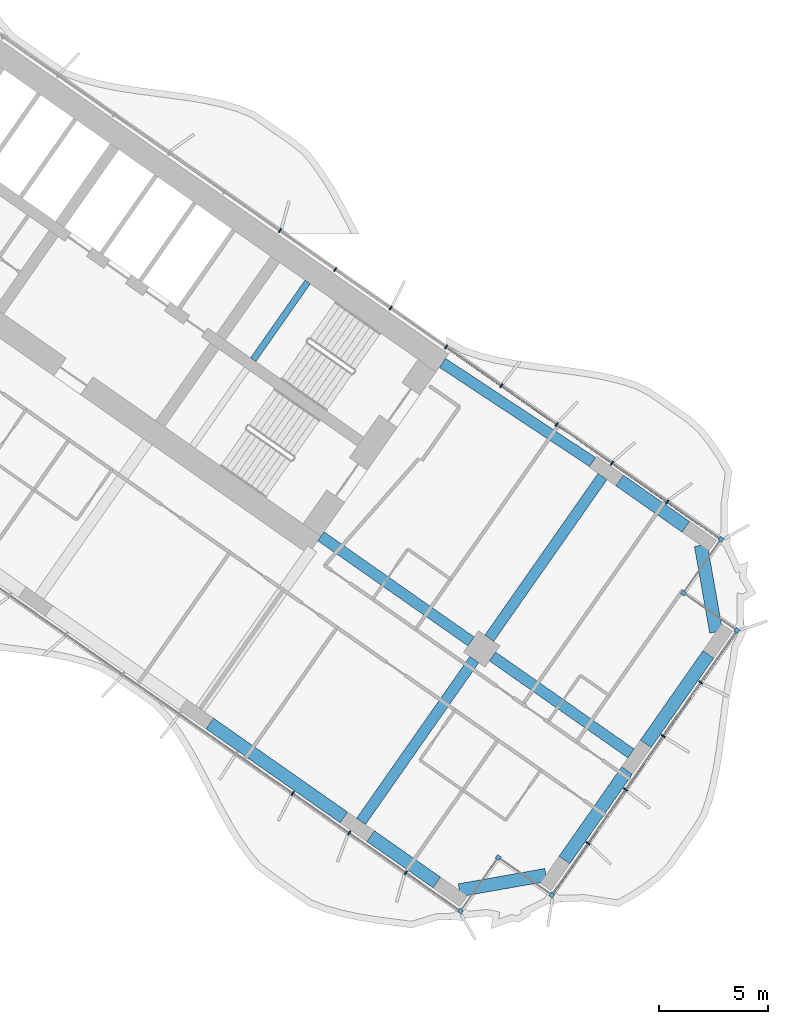
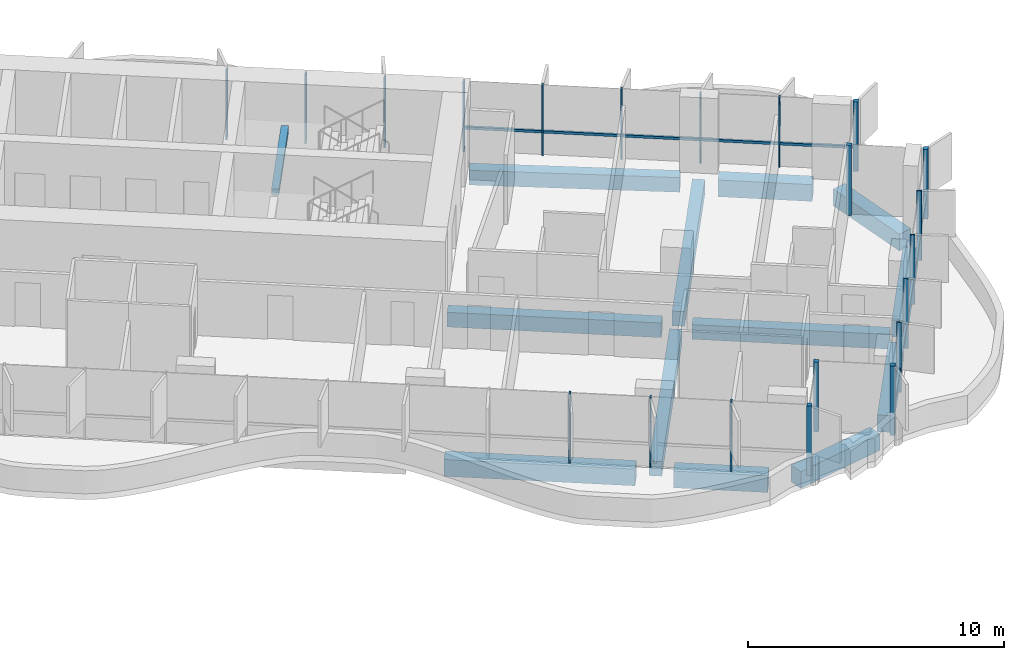
# One storey, part 9 of 23: 23 members, 13 beams, 2 elements without a shape of their own.
"""IFC4 building model written with IfcOpenShell, lengths in metres."""

from ifc_helpers import new_model, si_unit, direction, frame, origin, origin_2d, place, context, subcontext, project, spatial, rectangle, extrude, material, material_profile, profile_set, type_object, element, aggregate, save


model = new_model("IFC4")

# Units and contexts
model_context = context("Model", 3, precision=1e-05, world=origin(), true_north=direction((0.0, 1.0)))
body_context = subcontext(model_context, "Body", "Model", "MODEL_VIEW")
ifc_project = project(units=[si_unit("LENGTHUNIT", "METRE"), si_unit("AREAUNIT", "SQUARE_METRE"), si_unit("VOLUMEUNIT", "CUBIC_METRE"), si_unit("PLANEANGLEUNIT", "RADIAN"), si_unit("MASSUNIT", "GRAM", prefix="KILO")], contexts=[model_context])

# Site, building, storey
site_placement = place(None, origin())
site = spatial("IfcSite", under=ifc_project, at=site_placement, CompositionType="ELEMENT")
building_placement = place(site_placement, origin())
building = spatial("IfcBuilding", under=site, at=building_placement, Name="Tel Ilan Convention Tower", CompositionType="ELEMENT")
storey_placement = place(building_placement, frame((0.0, 0.0, 83.300048828125)))
storey = spatial("IfcBuildingStorey", under=building, at=storey_placement, Name="L16", CompositionType="ELEMENT", Elevation=83.300048828125)

# Beams
ifc_material_1 = material(Name="Concrete C40/50", Category="concrete")
ifc_material_profile_1 = material_profile(ifc_material_1, rectangle(XDim=0.5, YDim=0.699951171875, at=origin_2d()), Name="RC 500x700")
ifc_profile_set_1 = profile_set([ifc_material_profile_1], Name="Concrete C40/50")
beam_type_1 = type_object("IfcBeamType", Name="Beam RC 500x700 Concrete C40/50", PredefinedType="BEAM", material=ifc_profile_set_1)
beam_1_placement = place(storey_placement, frame((34.570556640625, -12.08447265625, -0.630126953125), z_axis=(-0.834273603487, 0.551350663847, 0.0), x_axis=(-0.551350663847, -0.834273603487, 0.0)))
element("IfcBeam", 1, at=beam_1_placement, inside=storey, type_object=beam_type_1, Name="L16 beam E-E-B4-core", PredefinedType="BEAM", context=body_context, shape_type="SweptSolid", body=[
    extrude(rectangle(XDim=0.5, YDim=0.699951171875, at=origin_2d()), origin(), (0.0, 0.0, 1.0), 8.2529296875),
])
beam_2_placement = place(storey_placement, frame((22.1171875, -15.486572265625, -0.630126953125), z_axis=(0.819147254605, -0.573583276668, 0.0), x_axis=(0.573583276668, 0.819147254605, 0.0)))
element("IfcBeam", 2, at=beam_2_placement, inside=storey, type_object=beam_type_1, Name="L16 beam E-core-E-M4", PredefinedType="BEAM", context=body_context, shape_type="SweptSolid", body=[
    extrude(rectangle(XDim=0.5, YDim=0.699951171875, at=origin_2d()), origin(), (0.0, 0.0, 1.0), 8.400146484375),
])
beam_3_placement = place(storey_placement, frame((29.98095703125, -20.992919921875, -0.630126953125), z_axis=(0.819159394801, -0.573565938589, 0.0), x_axis=(0.573565938589, 0.819159394801, 0.0)))
element("IfcBeam", 3, at=beam_3_placement, inside=storey, type_object=beam_type_1, Name="L16 beam E-E-M4-end", PredefinedType="BEAM", context=body_context, shape_type="SweptSolid", body=[
    extrude(rectangle(XDim=0.5, YDim=0.699951171875, at=origin_2d()), origin(), (0.0, 0.0, 1.0), 7.75),
])
for number, where, z_axis, x_axis, name in (
    (4, (29.145263671875, -21.14013671875, -0.630126953125), (-0.573549245583, -0.819171082798, 0.0), (0.819171082798, -0.573549245583, 0.0), "L16 beam E-E-M4-E-F4"),
    (5, (29.83349609375, -20.1572265625, -0.630126953125), (0.57358002233, 0.819149533348, 0.0), (-0.819149533348, 0.57358002233, 0.0), "L16 beam E-E-M4-E-B4"),
):
    element("IfcBeam", number, at=place(storey_placement, frame(where, z_axis=z_axis, x_axis=x_axis)), inside=storey, type_object=beam_type_1, Name=name, PredefinedType="BEAM", context=body_context, shape_type="SweptSolid", body=[
        extrude(rectangle(XDim=0.5, YDim=0.699951171875, at=origin_2d()), origin(), (0.0, 0.0, 1.0), 9.050048828125),
    ])
ifc_material_2 = material(Name="Concrete C40/50", Category="concrete")
ifc_material_profile_2 = material_profile(ifc_material_2, rectangle(XDim=0.60009765625, YDim=0.800048828125, at=origin_2d()), Name="RC 600x800")
ifc_profile_set_2 = profile_set([ifc_material_profile_2], Name="Concrete C40/50")
beam_type_2 = type_object("IfcBeamType", Name="Beam RC 600x800 Concrete C40/50", PredefinedType="BEAM", material=ifc_profile_set_2)
beam_4_placement = place(storey_placement, frame((17.0244140625, -24.0673828125, -0.679931640625), z_axis=(0.81915238829, -0.573575945067, 0.0), x_axis=(0.573575945067, 0.81915238829, 0.0)))
element("IfcBeam", 6, at=beam_4_placement, inside=storey, type_object=beam_type_2, Name="L16 beam E-E-F3-E-F4", PredefinedType="BEAM", context=body_context, shape_type="SweptSolid", body=[
    extrude(rectangle(XDim=0.60009765625, YDim=0.800048828125, at=origin_2d()), origin(), (0.0, 0.0, 1.0), 7.5),
])
beam_5_placement = place(storey_placement, frame((24.396728515625, -29.2294921875, -0.679931640625), z_axis=(0.819132709951, -0.573604047656, 0.0), x_axis=(0.573604047656, 0.819132709951, 0.0)))
element("IfcBeam", 7, at=beam_5_placement, inside=storey, type_object=beam_type_2, Name="L16 beam E-E-F4-E-FC", PredefinedType="BEAM", context=body_context, shape_type="SweptSolid", body=[
    extrude(rectangle(XDim=0.60009765625, YDim=0.800048828125, at=origin_2d()), origin(), (0.0, 0.0, 1.0), 3.699951171875),
])
beam_6_placement = place(storey_placement, frame((28.459716796875, -31.708251953125, -0.679931640625), z_axis=(0.984806721117, 0.173654029734, 0.0), x_axis=(-0.173654029734, 0.984806721117, 0.0)))
element("IfcBeam", 8, at=beam_6_placement, inside=storey, type_object=beam_type_2, Name="L16 beam E-E-FC-E-E1", PredefinedType="BEAM", context=body_context, shape_type="SweptSolid", body=[
    extrude(rectangle(XDim=0.60009765625, YDim=0.800048828125, at=origin_2d()), origin(), (0.0, 0.0, 1.0), 4.03076171875),
])
for number, where, z_axis, x_axis, name in (
    (9, (33.277099609375, -30.3203125, -0.679931640625), (0.573586866468, 0.819144740944, 0.0), (-0.819144740944, 0.573586866468, 0.0), "L16 beam E-E-E1-E-E2"),
    (10, (37.00537109375, -24.995849609375, -0.679931640625), (0.573586866468, 0.819144740944, 0.0), (-0.819144740944, 0.573586866468, 0.0), "L16 beam E-E-E2-E-E3"),
):
    element("IfcBeam", number, at=place(storey_placement, frame(where, z_axis=z_axis, x_axis=x_axis)), inside=storey, type_object=beam_type_2, Name=name, PredefinedType="BEAM", context=body_context, shape_type="SweptSolid", body=[
        extrude(rectangle(XDim=0.60009765625, YDim=0.800048828125, at=origin_2d()), origin(), (0.0, 0.0, 1.0), 5.0),
    ])
beam_7_placement = place(storey_placement, frame((40.229736328125, -19.867919921875, -0.679931640625), z_axis=(-0.173664388751, 0.984804894423, 0.0), x_axis=(-0.984804894423, -0.173664388751, 0.0)))
element("IfcBeam", 11, at=beam_7_placement, inside=storey, type_object=beam_type_2, Name="L16 beam E-E-E3-E-BC", PredefinedType="BEAM", context=body_context, shape_type="SweptSolid", body=[
    extrude(rectangle(XDim=0.60009765625, YDim=0.800048828125, at=origin_2d()), origin(), (0.0, 0.0, 1.0), 4.030517578125),
])
beam_8_placement = place(storey_placement, frame((38.841796875, -15.050537109375, -0.679931640625), z_axis=(-0.819185419371, 0.573528768842, 0.0), x_axis=(-0.573528768842, -0.819185419371, 0.0)))
element("IfcBeam", 12, at=beam_8_placement, inside=storey, type_object=beam_type_2, Name="L16 beam E-E-BC-E-B4", PredefinedType="BEAM", context=body_context, shape_type="SweptSolid", body=[
    extrude(rectangle(XDim=0.60009765625, YDim=0.800048828125, at=origin_2d()), origin(), (0.0, 0.0, 1.0), 3.699951171875),
])

# Curtain wall, members
ifc_material_3 = material(Name="Aluminium, bronze anodised", Category="aluminium")
curtain_wall_type_1 = type_object("IfcCurtainWallType", Name="CW1 UNITISED CURTAIN WALL, HOTEL TINTED GLASS", PredefinedType="NOTDEFINED", material=ifc_material_3)
curtain_wall_1_placement = place(storey_placement, origin())
curtain_wall_1 = element("IfcCurtainWall", 13, at=curtain_wall_1_placement, inside=storey, type_object=curtain_wall_type_1, Name="Curtain wall CW1-15.02", PredefinedType="NOTDEFINED")
ifc_material_4 = material(Name="Aluminium, bronze anodised", Category="aluminium")
ifc_material_profile_3 = material_profile(ifc_material_4, rectangle(XDim=0.199951171875, YDim=0.199951171875, at=origin_2d()), Name="CW CORNER MULLION 200x200")
ifc_profile_set_3 = profile_set([ifc_material_profile_3], Name="Aluminium, bronze anodised")
member_type_1 = type_object("IfcMemberType", Name="CW CORNER MULLION 200x200", PredefinedType="MULLION", material=ifc_profile_set_3)
member_1_placement = place(storey_placement, frame((28.52099609375, -32.666748046875, 0.0), z_axis=(0.0, 0.0, 1.0), x_axis=(0.819152044289, -0.573576436351, 0.0)))
member_1 = element("IfcMember", 14, at=member_1_placement, type_object=member_type_1, Name="Corner mullion", PredefinedType="MULLION", context=body_context, shape_type="SweptSolid", body=[
    extrude(rectangle(XDim=0.199951171875, YDim=0.199951171875, at=origin_2d()), origin(), (0.0, 0.0, 1.0), 3.320068359375),
])
member_2_placement = place(storey_placement, frame((30.241943359375, -30.209228515625, 0.0), z_axis=(0.0, 0.0, 1.0), x_axis=(0.573576436351, 0.819152044289, 0.0)))
member_2 = element("IfcMember", 15, at=member_2_placement, type_object=member_type_1, Name="Corner mullion", PredefinedType="MULLION", context=body_context, shape_type="SweptSolid", body=[
    extrude(rectangle(XDim=0.199951171875, YDim=0.199951171875, at=origin_2d()), origin(), (0.0, 0.0, 1.0), 3.320068359375),
])
member_3_placement = place(storey_placement, frame((32.69921875, -31.929931640625, 0.0), z_axis=(0.0, 0.0, 1.0), x_axis=(0.819152044289, -0.573576436351, 0.0)))
member_3 = element("IfcMember", 16, at=member_3_placement, type_object=member_type_1, Name="Corner mullion", PredefinedType="MULLION", context=body_context, shape_type="SweptSolid", body=[
    extrude(rectangle(XDim=0.199951171875, YDim=0.199951171875, at=origin_2d()), origin(), (0.0, 0.0, 1.0), 3.320068359375),
])
member_4_placement = place(storey_placement, frame((41.188232421875, -19.806640625, 0.0), z_axis=(0.0, 0.0, 1.0), x_axis=(0.573576436351, 0.819152044289, 0.0)))
member_4 = element("IfcMember", 17, at=member_4_placement, type_object=member_type_1, Name="Corner mullion", PredefinedType="MULLION", context=body_context, shape_type="SweptSolid", body=[
    extrude(rectangle(XDim=0.199951171875, YDim=0.199951171875, at=origin_2d()), origin(), (0.0, 0.0, 1.0), 3.320068359375),
])
member_5_placement = place(storey_placement, frame((38.730712890625, -18.0859375, 0.0), z_axis=(0.0, 0.0, 1.0), x_axis=(-0.819152044289, 0.573576436351, 0.0)))
member_5 = element("IfcMember", 18, at=member_5_placement, type_object=member_type_1, Name="Corner mullion", PredefinedType="MULLION", context=body_context, shape_type="SweptSolid", body=[
    extrude(rectangle(XDim=0.199951171875, YDim=0.199951171875, at=origin_2d()), origin(), (0.0, 0.0, 1.0), 3.320068359375),
])
member_6_placement = place(storey_placement, frame((40.451416015625, -15.62841796875, 0.0), z_axis=(0.0, 0.0, 1.0), x_axis=(0.573576436351, 0.819152044289, 0.0)))
member_6 = element("IfcMember", 19, at=member_6_placement, type_object=member_type_1, Name="Corner mullion", PredefinedType="MULLION", context=body_context, shape_type="SweptSolid", body=[
    extrude(rectangle(XDim=0.199951171875, YDim=0.199951171875, at=origin_2d()), origin(), (0.0, 0.0, 1.0), 3.320068359375),
])

ifc_material_5 = material(Name="Aluminium, bronze anodised", Category="aluminium")
curtain_wall_type_2 = type_object("IfcCurtainWallType", Name="CW2 STICK CURTAIN WALL, SPANDREL PANELS", PredefinedType="NOTDEFINED", material=ifc_material_5)
curtain_wall_2_placement = place(storey_placement, origin())
curtain_wall_2 = element("IfcCurtainWall", 20, at=curtain_wall_2_placement, inside=storey, type_object=curtain_wall_type_2, Name="Curtain wall CW2-15.01", PredefinedType="NOTDEFINED")
ifc_material_6 = material(Name="Aluminium, bronze anodised", Category="aluminium")
ifc_material_profile_4 = material_profile(ifc_material_6, rectangle(XDim=0.06005859375, YDim=0.199951171875, at=origin_2d()), Name="CW MULLION 60x200")
ifc_profile_set_4 = profile_set([ifc_material_profile_4], Name="Aluminium, bronze anodised")
member_type_2 = type_object("IfcMemberType", Name="CW MULLION 60x200", PredefinedType="MULLION", material=ifc_profile_set_4)
member_7_placement = place(storey_placement, frame((27.848876953125, -6.803955078125, 0.0), z_axis=(0.0, 0.0, 1.0), x_axis=(-0.819152044289, 0.573576436351, 0.0)))
member_7 = element("IfcMember", 21, at=member_7_placement, type_object=member_type_2, Name="Mullion", PredefinedType="MULLION", context=body_context, shape_type="SweptSolid", body=[
    extrude(rectangle(XDim=0.06005859375, YDim=0.199951171875, at=origin_2d()), origin(), (0.0, 0.0, 1.0), 3.320068359375),
])
member_8_placement = place(storey_placement, frame((25.311767578125, -5.027587890625, 0.0), z_axis=(0.0, 0.0, 1.0), x_axis=(-0.819152044289, 0.573576436351, 0.0)))
member_8 = element("IfcMember", 22, at=member_8_placement, type_object=member_type_2, Name="Mullion", PredefinedType="MULLION", context=body_context, shape_type="SweptSolid", body=[
    extrude(rectangle(XDim=0.06005859375, YDim=0.199951171875, at=origin_2d()), origin(), (0.0, 0.0, 1.0), 3.320068359375),
])
member_9_placement = place(storey_placement, frame((22.77490234375, -3.251220703125, 0.0), z_axis=(0.0, 0.0, 1.0), x_axis=(-0.819152044289, 0.573576436351, 0.0)))
member_9 = element("IfcMember", 23, at=member_9_placement, type_object=member_type_2, Name="Mullion", PredefinedType="MULLION", context=body_context, shape_type="SweptSolid", body=[
    extrude(rectangle(XDim=0.06005859375, YDim=0.199951171875, at=origin_2d()), origin(), (0.0, 0.0, 1.0), 3.320068359375),
])
member_10_placement = place(storey_placement, frame((20.238037109375, -1.474853515625, 0.0), z_axis=(0.0, 0.0, 1.0), x_axis=(-0.819152044289, 0.573576436351, 0.0)))
member_10 = element("IfcMember", 24, at=member_10_placement, type_object=member_type_2, Name="Mullion", PredefinedType="MULLION", context=body_context, shape_type="SweptSolid", body=[
    extrude(rectangle(XDim=0.06005859375, YDim=0.199951171875, at=origin_2d()), origin(), (0.0, 0.0, 1.0), 3.320068359375),
])
aggregate(curtain_wall_2, [member_7, member_8, member_9, member_10])

# Member
member_11_placement = place(storey_placement, frame((20.81787109375, -27.27294921875, 0.0), z_axis=(0.0, 0.0, 1.0), x_axis=(0.819152044289, -0.573576436351, 0.0)))
member_11 = element("IfcMember", 25, at=member_11_placement, type_object=member_type_2, Name="Mullion", PredefinedType="MULLION", context=body_context, shape_type="SweptSolid", body=[
    extrude(rectangle(XDim=0.06005859375, YDim=0.199951171875, at=origin_2d()), origin(), (0.0, 0.0, 1.0), 3.320068359375),
])

member_12_placement = place(storey_placement, frame((23.412841796875, -29.08984375, 0.0), z_axis=(0.0, 0.0, 1.0), x_axis=(0.819152044289, -0.573576436351, 0.0)))
member_12 = element("IfcMember", 26, at=member_12_placement, type_object=member_type_2, Name="Mullion", PredefinedType="MULLION", context=body_context, shape_type="SweptSolid", body=[
    extrude(rectangle(XDim=0.06005859375, YDim=0.199951171875, at=origin_2d()), origin(), (0.0, 0.0, 1.0), 3.320068359375),
])

member_13_placement = place(storey_placement, frame((26.008056640625, -30.906982421875, 0.0), z_axis=(0.0, 0.0, 1.0), x_axis=(0.819152044289, -0.573576436351, 0.0)))
member_13 = element("IfcMember", 27, at=member_13_placement, type_object=member_type_2, Name="Mullion", PredefinedType="MULLION", context=body_context, shape_type="SweptSolid", body=[
    extrude(rectangle(XDim=0.06005859375, YDim=0.199951171875, at=origin_2d()), origin(), (0.0, 0.0, 1.0), 3.320068359375),
])

member_14_placement = place(storey_placement, frame((34.362548828125, -29.554443359375, 0.0), z_axis=(0.0, 0.0, 1.0), x_axis=(0.573576436351, 0.819152044289, 0.0)))
member_14 = element("IfcMember", 28, at=member_14_placement, type_object=member_type_2, Name="Mullion", PredefinedType="MULLION", context=body_context, shape_type="SweptSolid", body=[
    extrude(rectangle(XDim=0.06005859375, YDim=0.199951171875, at=origin_2d()), origin(), (0.0, 0.0, 1.0), 3.320068359375),
])

member_15_placement = place(storey_placement, frame((36.08349609375, -27.096923828125, 0.0), z_axis=(0.0, 0.0, 1.0), x_axis=(0.573576436351, 0.819152044289, 0.0)))
member_15 = element("IfcMember", 29, at=member_15_placement, type_object=member_type_2, Name="Mullion", PredefinedType="MULLION", context=body_context, shape_type="SweptSolid", body=[
    extrude(rectangle(XDim=0.06005859375, YDim=0.199951171875, at=origin_2d()), origin(), (0.0, 0.0, 1.0), 3.320068359375),
])

member_16_placement = place(storey_placement, frame((37.80419921875, -24.6396484375, 0.0), z_axis=(0.0, 0.0, 1.0), x_axis=(0.573576436351, 0.819152044289, 0.0)))
member_16 = element("IfcMember", 30, at=member_16_placement, type_object=member_type_2, Name="Mullion", PredefinedType="MULLION", context=body_context, shape_type="SweptSolid", body=[
    extrude(rectangle(XDim=0.06005859375, YDim=0.199951171875, at=origin_2d()), origin(), (0.0, 0.0, 1.0), 3.320068359375),
])

member_17_placement = place(storey_placement, frame((39.52490234375, -22.18212890625, 0.0), z_axis=(0.0, 0.0, 1.0), x_axis=(0.573576436351, 0.819152044289, 0.0)))
member_17 = element("IfcMember", 31, at=member_17_placement, type_object=member_type_2, Name="Mullion", PredefinedType="MULLION", context=body_context, shape_type="SweptSolid", body=[
    extrude(rectangle(XDim=0.06005859375, YDim=0.199951171875, at=origin_2d()), origin(), (0.0, 0.0, 1.0), 3.320068359375),
])

member_18_placement = place(storey_placement, frame((37.99658203125, -13.909423828125, 0.0), z_axis=(0.0, 0.0, 1.0), x_axis=(-0.819152044289, 0.573576436351, 0.0)))
member_18 = element("IfcMember", 32, at=member_18_placement, type_object=member_type_2, Name="Mullion", PredefinedType="MULLION", context=body_context, shape_type="SweptSolid", body=[
    extrude(rectangle(XDim=0.06005859375, YDim=0.199951171875, at=origin_2d()), origin(), (0.0, 0.0, 1.0), 3.320068359375),
])

member_19_placement = place(storey_placement, frame((35.45947265625, -12.133056640625, 0.0), z_axis=(0.0, 0.0, 1.0), x_axis=(-0.819152044289, 0.573576436351, 0.0)))
member_19 = element("IfcMember", 33, at=member_19_placement, type_object=member_type_2, Name="Mullion", PredefinedType="MULLION", context=body_context, shape_type="SweptSolid", body=[
    extrude(rectangle(XDim=0.06005859375, YDim=0.199951171875, at=origin_2d()), origin(), (0.0, 0.0, 1.0), 3.320068359375),
])

member_20_placement = place(storey_placement, frame((32.922607421875, -10.356689453125, 0.0), z_axis=(0.0, 0.0, 1.0), x_axis=(-0.819152044289, 0.573576436351, 0.0)))
member_20 = element("IfcMember", 34, at=member_20_placement, type_object=member_type_2, Name="Mullion", PredefinedType="MULLION", context=body_context, shape_type="SweptSolid", body=[
    extrude(rectangle(XDim=0.06005859375, YDim=0.199951171875, at=origin_2d()), origin(), (0.0, 0.0, 1.0), 3.320068359375),
])

member_21_placement = place(storey_placement, frame((30.3857421875, -8.580322265625, 0.0), z_axis=(0.0, 0.0, 1.0), x_axis=(-0.819152044289, 0.573576436351, 0.0)))
member_21 = element("IfcMember", 35, at=member_21_placement, type_object=member_type_2, Name="Mullion", PredefinedType="MULLION", context=body_context, shape_type="SweptSolid", body=[
    extrude(rectangle(XDim=0.06005859375, YDim=0.199951171875, at=origin_2d()), origin(), (0.0, 0.0, 1.0), 3.320068359375),
])

ifc_material_7 = material(Name="Aluminium, bronze anodised", Category="aluminium")
ifc_material_profile_5 = material_profile(ifc_material_7, rectangle(XDim=0.10009765625, YDim=0.1201171875, at=origin_2d()), Name="CW TRANSOM 100x120")
ifc_profile_set_5 = profile_set([ifc_material_profile_5], Name="Aluminium, bronze anodised")
member_type_3 = type_object("IfcMemberType", Name="CW TRANSOM 100x120", PredefinedType="USERDEFINED", material=ifc_profile_set_5)
member_22_placement = place(storey_placement, frame((32.756591796875, -31.84814453125, 1.099853515625), z_axis=(0.573575688231, 0.819152568128, 0.0), x_axis=(-0.819152568128, 0.573575688231, 0.0)))
member_22 = element("IfcMember", 36, at=member_22_placement, type_object=member_type_3, Name="Transom", ObjectType="TRANSOM", PredefinedType="USERDEFINED", context=body_context, shape_type="SweptSolid", body=[
    extrude(rectangle(XDim=0.10009765625, YDim=0.1201171875, at=origin_2d()), origin(), (0.0, 0.0, 1.0), 14.60009765625),
])

member_23_placement = place(storey_placement, frame((40.36962890625, -15.571044921875, 1.099853515625), z_axis=(-0.819152967985, 0.573575117174, 0.0), x_axis=(-0.573575117174, -0.819152967985, 0.0)))
member_23 = element("IfcMember", 37, at=member_23_placement, type_object=member_type_3, Name="Transom", ObjectType="TRANSOM", PredefinedType="USERDEFINED", context=body_context, shape_type="SweptSolid", body=[
    extrude(rectangle(XDim=0.10009765625, YDim=0.1201171875, at=origin_2d()), origin(), (0.0, 0.0, 1.0), 15.255126953125),
])

aggregate(curtain_wall_1, [member_11, member_12, member_13, member_1, member_2, member_3, member_14, member_15, member_16, member_17, member_4, member_22, member_5, member_6, member_18, member_19, member_20, member_21, member_23])

# Beam
ifc_material_8 = material(Name="Concrete C40/50", Category="concrete")
ifc_material_profile_6 = material_profile(ifc_material_8, rectangle(XDim=0.300048828125, YDim=0.300048828125, at=origin_2d()), Name="RC 300x300")
ifc_profile_set_6 = profile_set([ifc_material_profile_6], Name="Concrete C40/50")
beam_type_3 = type_object("IfcBeamType", Name="Landing Beam RC 300x300 Concrete C40/50", PredefinedType="BEAM", material=ifc_profile_set_6)
beam_9_placement = place(storey_placement, frame((21.5087890625, -3.829345703125, 1.449951171875), z_axis=(-0.57356780395, -0.819158088694, 0.0), x_axis=(0.819158088694, -0.57356780395, 0.0)))
element("IfcBeam", 38, at=beam_9_placement, inside=storey, type_object=beam_type_3, Name="S3 landing beam L16.1", PredefinedType="BEAM", context=body_context, shape_type="SweptSolid", body=[
    extrude(rectangle(XDim=0.300048828125, YDim=0.300048828125, at=origin_2d()), origin(), (0.0, 0.0, 1.0), 4.35009765625),
])

save(model, "model.ifc")
